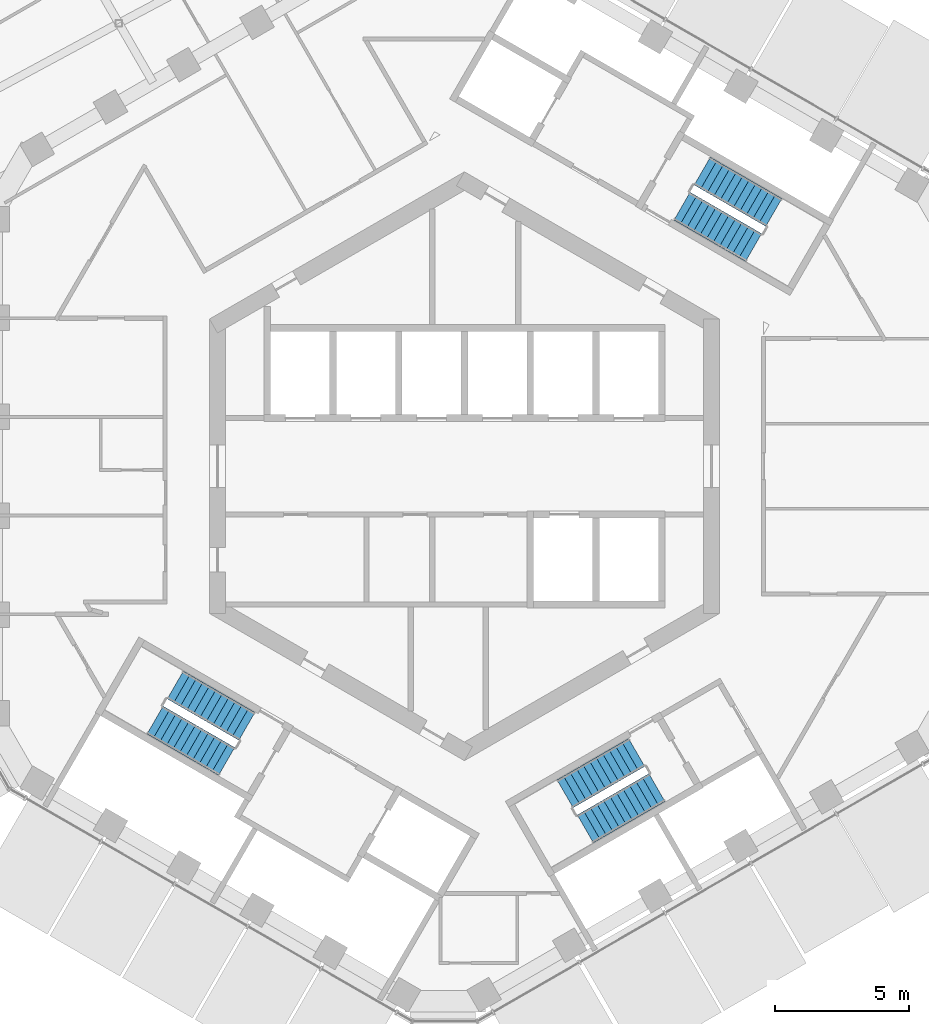
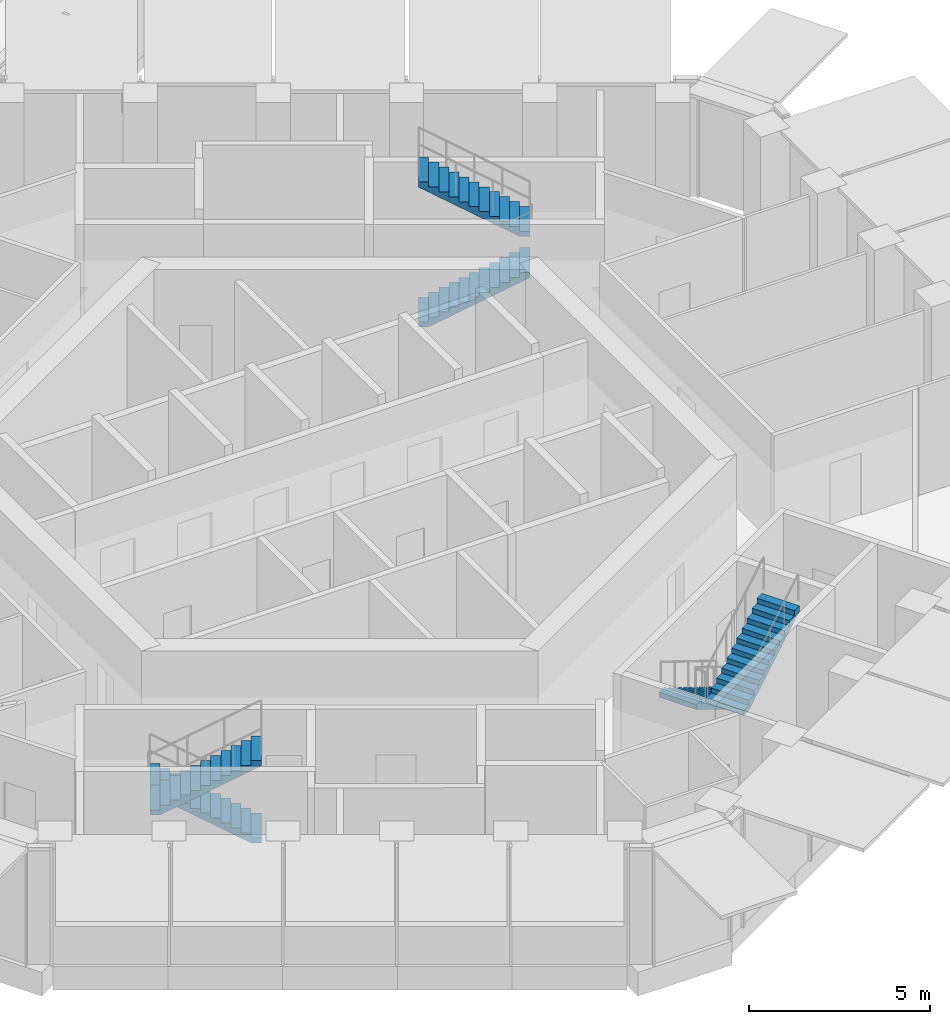
# One storey, part 25 of 27: 6 stair flights, 3 elements without a shape of their own.
"""IFC4 building model written with IfcOpenShell, lengths in metres."""

from ifc_helpers import new_model, si_unit, direction, frame, origin, place, context, subcontext, project, spatial, triangles, material, type_object, element, aggregate, save


model = new_model("IFC4")

# Units and contexts
model_context = context("Model", 3, precision=1e-05, world=origin(), true_north=direction((0.0, 1.0)))
body_context = subcontext(model_context, "Body", "Model", "MODEL_VIEW")
ifc_project = project(units=[si_unit("LENGTHUNIT", "METRE"), si_unit("AREAUNIT", "SQUARE_METRE"), si_unit("VOLUMEUNIT", "CUBIC_METRE"), si_unit("PLANEANGLEUNIT", "RADIAN"), si_unit("MASSUNIT", "GRAM", prefix="KILO")], contexts=[model_context])

# Site, building, storey
site_placement = place(None, origin())
site = spatial("IfcSite", under=ifc_project, at=site_placement, CompositionType="ELEMENT")
building_placement = place(site_placement, origin())
building = spatial("IfcBuilding", under=site, at=building_placement, Name="Ayvan Gate Tower", CompositionType="ELEMENT")
storey_placement = place(building_placement, frame((0.0, 0.0, 194.699951171875)))
storey = spatial("IfcBuildingStorey", under=building, at=storey_placement, Name="L52", CompositionType="ELEMENT", Elevation=194.699951171875)

# Stair, stair flights
ifc_material = material(Name="Concrete C40/50", Category="concrete")
stair_type = type_object("IfcStairType", Name="ST-EXIT", PredefinedType="HALF_TURN_STAIR", material=ifc_material)
stair_1_placement = place(storey_placement, origin())
stair_1 = element("IfcStair", 1, at=stair_1_placement, inside=storey, type_object=stair_type, Name="L52 Exit Stair S1", PredefinedType="HALF_TURN_STAIR")
stair_flight_type = type_object("IfcStairFlightType", Name="SFL-EXIT", PredefinedType="STRAIGHT", material=ifc_material)
stair_flight_1_placement = place(storey_placement, frame((8.106201171875, 9.690185546875, 0.0), z_axis=(0.0, 0.0, 1.0), x_axis=(0.866025403784, -0.5, 0.0)))
stair_flight_1 = element("IfcStairFlight", 2, at=stair_flight_1_placement, type_object=stair_flight_type, Name="STS1 flight 1", NumberOfRisers=12, NumberOfTreads=11, PredefinedType="STRAIGHT", RiserHeight=0.166666667, TreadLength=0.28, context=body_context, shape_type="Tessellation", body=[
    triangles([(0.293073, -0.599976, 0.0), (3.0805, -0.599976, 1.659182), (3.0805, -0.599976, 1.833333), (2.8, -0.599976, 1.833333), (2.8, -0.599976, 1.666667), (2.52, -0.599976, 1.666667), (2.52, -0.599976, 1.5), (2.24, -0.599976, 1.5), (2.24, -0.599976, 1.333333), (1.96, -0.599976, 1.333333), (1.96, -0.599976, 1.166667), (1.68, -0.599976, 1.166667), (1.68, -0.599976, 1.0), (1.4, -0.599976, 1.0), (1.4, -0.599976, 0.833333), (1.12, -0.599976, 0.833333), (1.12, -0.599976, 0.666667), (0.84, -0.599976, 0.666667), (0.84, -0.599976, 0.5), (0.56, -0.599976, 0.5), (0.56, -0.599976, 0.333333), (0.28, -0.599976, 0.333333), (0.28, -0.599976, 0.166667), (-0.0005, -0.599976, 0.166667), (-0.0005, -0.599976, 0.0), (0.293073, 0.0, 0.0), (3.0805, 0.0, 1.659182), (3.0805, 0.0, 1.833333), (2.8, 0.0, 1.833333), (2.8, 0.0, 1.666667), (2.52, 0.0, 1.666667), (2.52, 0.0, 1.5), (2.24, 0.0, 1.5), (2.24, 0.0, 1.333333), (1.96, 0.0, 1.333333), (1.96, 0.0, 1.166667), (1.68, 0.0, 1.166667), (1.68, 0.0, 1.0), (1.4, 0.0, 1.0), (1.4, 0.0, 0.833333), (1.12, 0.0, 0.833333), (1.12, 0.0, 0.666667), (0.84, 0.0, 0.666667), (0.84, 0.0, 0.5), (0.56, 0.0, 0.5), (0.56, 0.0, 0.333333), (0.28, 0.0, 0.333333), (0.28, 0.0, 0.166667), (-0.0005, 0.0, 0.166667), (-0.0005, 0.0, 0.0), (0.293073, 0.599976, 0.0), (3.0805, 0.599976, 1.659182), (3.0805, 0.599976, 1.833333), (2.8, 0.599976, 1.833333), (2.8, 0.599976, 1.666667), (2.52, 0.599976, 1.666667), (2.52, 0.599976, 1.5), (2.24, 0.599976, 1.5), (2.24, 0.599976, 1.333333), (1.96, 0.599976, 1.333333), (1.96, 0.599976, 1.166667), (1.68, 0.599976, 1.166667), (1.68, 0.599976, 1.0), (1.4, 0.599976, 1.0), (1.4, 0.599976, 0.833333), (1.12, 0.599976, 0.833333), (1.12, 0.599976, 0.666667), (0.84, 0.599976, 0.666667), (0.84, 0.599976, 0.5), (0.56, 0.599976, 0.5), (0.56, 0.599976, 0.333333), (0.28, 0.599976, 0.333333), (0.28, 0.599976, 0.166667), (-0.0005, 0.599976, 0.166667), (-0.0005, 0.599976, 0.0)], [[25, 1, 2], [75, 52, 51], [2, 3, 4], [52, 54, 53], [2, 4, 5], [52, 55, 54], [2, 5, 6], [52, 56, 55], [2, 6, 7], [52, 57, 56], [7, 8, 9], [57, 59, 58], [2, 7, 9], [52, 59, 57], [9, 10, 11], [59, 61, 60], [2, 9, 11], [52, 61, 59], [11, 12, 13], [61, 63, 62], [2, 11, 13], [52, 63, 61], [13, 14, 15], [63, 65, 64], [2, 13, 15], [52, 65, 63], [15, 16, 17], [65, 67, 66], [2, 15, 17], [52, 67, 65], [17, 18, 19], [67, 69, 68], [2, 17, 19], [52, 69, 67], [19, 20, 21], [69, 71, 70], [2, 19, 21], [52, 71, 69], [21, 22, 23], [71, 73, 72], [2, 21, 23], [52, 73, 71], [25, 2, 23], [75, 73, 52], [23, 24, 25], [73, 75, 74], [1, 26, 27], [1, 27, 2], [51, 27, 26], [51, 52, 27], [2, 27, 28], [2, 28, 3], [52, 28, 27], [52, 53, 28], [3, 28, 29], [3, 29, 4], [53, 29, 28], [53, 54, 29], [4, 29, 30], [4, 30, 5], [54, 30, 29], [54, 55, 30], [5, 30, 31], [5, 31, 6], [55, 31, 30], [55, 56, 31], [6, 31, 32], [6, 32, 7], [56, 32, 31], [56, 57, 32], [7, 32, 33], [7, 33, 8], [57, 33, 32], [57, 58, 33], [8, 33, 34], [8, 34, 9], [58, 34, 33], [58, 59, 34], [9, 34, 35], [9, 35, 10], [59, 35, 34], [59, 60, 35], [10, 35, 36], [10, 36, 11], [60, 36, 35], [60, 61, 36], [11, 36, 37], [11, 37, 12], [61, 37, 36], [61, 62, 37], [12, 37, 38], [12, 38, 13], [62, 38, 37], [62, 63, 38], [13, 38, 39], [13, 39, 14], [63, 39, 38], [63, 64, 39], [14, 39, 40], [14, 40, 15], [64, 40, 39], [64, 65, 40], [15, 40, 41], [15, 41, 16], [65, 41, 40], [65, 66, 41], [16, 41, 42], [16, 42, 17], [66, 42, 41], [66, 67, 42], [17, 42, 43], [17, 43, 18], [67, 43, 42], [67, 68, 43], [18, 43, 44], [18, 44, 19], [68, 44, 43], [68, 69, 44], [19, 44, 45], [19, 45, 20], [69, 45, 44], [69, 70, 45], [20, 45, 46], [20, 46, 21], [70, 46, 45], [70, 71, 46], [21, 46, 47], [21, 47, 22], [71, 47, 46], [71, 72, 47], [22, 47, 48], [22, 48, 23], [72, 48, 47], [72, 73, 48], [23, 48, 49], [23, 49, 24], [73, 49, 48], [73, 74, 49], [24, 49, 50], [24, 50, 25], [74, 50, 49], [74, 75, 50], [25, 50, 26], [25, 26, 1], [75, 26, 50], [75, 51, 26]], closed=True),
])
stair_flight_2_placement = place(storey_placement, frame((11.528564453125, 9.457763671875, 2.0), z_axis=(0.0, 0.0, 1.0), x_axis=(-0.866025403784, 0.5, 0.0)))
stair_flight_2 = element("IfcStairFlight", 3, at=stair_flight_2_placement, type_object=stair_flight_type, Name="STS1 flight 2", NumberOfRisers=12, NumberOfTreads=11, PredefinedType="STRAIGHT", RiserHeight=0.166666667, TreadLength=0.28, context=body_context, shape_type="Tessellation", body=[
    triangles([(0.293073, -0.599976, 0.0), (3.0805, -0.599976, 1.659182), (3.0805, -0.599976, 1.833333), (2.8, -0.599976, 1.833333), (2.8, -0.599976, 1.666667), (2.52, -0.599976, 1.666667), (2.52, -0.599976, 1.5), (2.24, -0.599976, 1.5), (2.24, -0.599976, 1.333333), (1.96, -0.599976, 1.333333), (1.96, -0.599976, 1.166667), (1.68, -0.599976, 1.166667), (1.68, -0.599976, 1.0), (1.4, -0.599976, 1.0), (1.4, -0.599976, 0.833333), (1.12, -0.599976, 0.833333), (1.12, -0.599976, 0.666667), (0.84, -0.599976, 0.666667), (0.84, -0.599976, 0.5), (0.56, -0.599976, 0.5), (0.56, -0.599976, 0.333333), (0.28, -0.599976, 0.333333), (0.28, -0.599976, 0.166667), (-0.0005, -0.599976, 0.166667), (-0.0005, -0.599976, 0.0), (0.293073, 0.0, 0.0), (3.0805, 0.0, 1.659182), (3.0805, 0.0, 1.833333), (2.8, 0.0, 1.833333), (2.8, 0.0, 1.666667), (2.52, 0.0, 1.666667), (2.52, 0.0, 1.5), (2.24, 0.0, 1.5), (2.24, 0.0, 1.333333), (1.96, 0.0, 1.333333), (1.96, 0.0, 1.166667), (1.68, 0.0, 1.166667), (1.68, 0.0, 1.0), (1.4, 0.0, 1.0), (1.4, 0.0, 0.833333), (1.12, 0.0, 0.833333), (1.12, 0.0, 0.666667), (0.84, 0.0, 0.666667), (0.84, 0.0, 0.5), (0.56, 0.0, 0.5), (0.56, 0.0, 0.333333), (0.28, 0.0, 0.333333), (0.28, 0.0, 0.166667), (-0.0005, 0.0, 0.166667), (-0.0005, 0.0, 0.0), (0.293073, 0.599976, 0.0), (3.0805, 0.599976, 1.659182), (3.0805, 0.599976, 1.833333), (2.8, 0.599976, 1.833333), (2.8, 0.599976, 1.666667), (2.52, 0.599976, 1.666667), (2.52, 0.599976, 1.5), (2.24, 0.599976, 1.5), (2.24, 0.599976, 1.333333), (1.96, 0.599976, 1.333333), (1.96, 0.599976, 1.166667), (1.68, 0.599976, 1.166667), (1.68, 0.599976, 1.0), (1.4, 0.599976, 1.0), (1.4, 0.599976, 0.833333), (1.12, 0.599976, 0.833333), (1.12, 0.599976, 0.666667), (0.84, 0.599976, 0.666667), (0.84, 0.599976, 0.5), (0.56, 0.599976, 0.5), (0.56, 0.599976, 0.333333), (0.28, 0.599976, 0.333333), (0.28, 0.599976, 0.166667), (-0.0005, 0.599976, 0.166667), (-0.0005, 0.599976, 0.0)], [[25, 1, 2], [75, 52, 51], [2, 3, 4], [52, 54, 53], [2, 4, 5], [52, 55, 54], [2, 5, 6], [52, 56, 55], [2, 6, 7], [52, 57, 56], [7, 8, 9], [57, 59, 58], [2, 7, 9], [52, 59, 57], [9, 10, 11], [59, 61, 60], [2, 9, 11], [52, 61, 59], [11, 12, 13], [61, 63, 62], [2, 11, 13], [52, 63, 61], [13, 14, 15], [63, 65, 64], [2, 13, 15], [52, 65, 63], [15, 16, 17], [65, 67, 66], [2, 15, 17], [52, 67, 65], [17, 18, 19], [67, 69, 68], [2, 17, 19], [52, 69, 67], [19, 20, 21], [69, 71, 70], [2, 19, 21], [52, 71, 69], [21, 22, 23], [71, 73, 72], [2, 21, 23], [52, 73, 71], [25, 2, 23], [75, 73, 52], [23, 24, 25], [73, 75, 74], [1, 26, 27], [1, 27, 2], [51, 27, 26], [51, 52, 27], [2, 27, 28], [2, 28, 3], [52, 28, 27], [52, 53, 28], [3, 28, 29], [3, 29, 4], [53, 29, 28], [53, 54, 29], [4, 29, 30], [4, 30, 5], [54, 30, 29], [54, 55, 30], [5, 30, 31], [5, 31, 6], [55, 31, 30], [55, 56, 31], [6, 31, 32], [6, 32, 7], [56, 32, 31], [56, 57, 32], [7, 32, 33], [7, 33, 8], [57, 33, 32], [57, 58, 33], [8, 33, 34], [8, 34, 9], [58, 34, 33], [58, 59, 34], [9, 34, 35], [9, 35, 10], [59, 35, 34], [59, 60, 35], [10, 35, 36], [10, 36, 11], [60, 36, 35], [60, 61, 36], [11, 36, 37], [11, 37, 12], [61, 37, 36], [61, 62, 37], [12, 37, 38], [12, 38, 13], [62, 38, 37], [62, 63, 38], [13, 38, 39], [13, 39, 14], [63, 39, 38], [63, 64, 39], [14, 39, 40], [14, 40, 15], [64, 40, 39], [64, 65, 40], [15, 40, 41], [15, 41, 16], [65, 41, 40], [65, 66, 41], [16, 41, 42], [16, 42, 17], [66, 42, 41], [66, 67, 42], [17, 42, 43], [17, 43, 18], [67, 43, 42], [67, 68, 43], [18, 43, 44], [18, 44, 19], [68, 44, 43], [68, 69, 44], [19, 44, 45], [19, 45, 20], [69, 45, 44], [69, 70, 45], [20, 45, 46], [20, 46, 21], [70, 46, 45], [70, 71, 46], [21, 46, 47], [21, 47, 22], [71, 47, 46], [71, 72, 47], [22, 47, 48], [22, 48, 23], [72, 48, 47], [72, 73, 48], [23, 48, 49], [23, 49, 24], [73, 49, 48], [73, 74, 49], [24, 49, 50], [24, 50, 25], [74, 50, 49], [74, 75, 50], [25, 50, 26], [25, 26, 1], [75, 26, 50], [75, 51, 26]], closed=True),
])
aggregate(stair_1, [stair_flight_1, stair_flight_2])

stair_2_placement = place(storey_placement, origin())
stair_2 = element("IfcStair", 4, at=stair_2_placement, inside=storey, type_object=stair_type, Name="L52 Exit Stair S2", PredefinedType="HALF_TURN_STAIR")
stair_flight_3_placement = place(storey_placement, frame((-8.106201171875, -9.690185546875, 0.0), z_axis=(0.0, 0.0, 1.0), x_axis=(-0.866025403784, 0.5, 0.0)))
stair_flight_3 = element("IfcStairFlight", 5, at=stair_flight_3_placement, type_object=stair_flight_type, Name="STS2 flight 1", NumberOfRisers=12, NumberOfTreads=11, PredefinedType="STRAIGHT", RiserHeight=0.166666667, TreadLength=0.28, context=body_context, shape_type="Tessellation", body=[
    triangles([(0.293073, -0.599976, 0.0), (3.0805, -0.599976, 1.659182), (3.0805, -0.599976, 1.833333), (2.8, -0.599976, 1.833333), (2.8, -0.599976, 1.666667), (2.52, -0.599976, 1.666667), (2.52, -0.599976, 1.5), (2.24, -0.599976, 1.5), (2.24, -0.599976, 1.333333), (1.96, -0.599976, 1.333333), (1.96, -0.599976, 1.166667), (1.68, -0.599976, 1.166667), (1.68, -0.599976, 1.0), (1.4, -0.599976, 1.0), (1.4, -0.599976, 0.833333), (1.12, -0.599976, 0.833333), (1.12, -0.599976, 0.666667), (0.84, -0.599976, 0.666667), (0.84, -0.599976, 0.5), (0.56, -0.599976, 0.5), (0.56, -0.599976, 0.333333), (0.28, -0.599976, 0.333333), (0.28, -0.599976, 0.166667), (-0.0005, -0.599976, 0.166667), (-0.0005, -0.599976, 0.0), (0.293073, 0.0, 0.0), (3.0805, 0.0, 1.659182), (3.0805, 0.0, 1.833333), (2.8, 0.0, 1.833333), (2.8, 0.0, 1.666667), (2.52, 0.0, 1.666667), (2.52, 0.0, 1.5), (2.24, 0.0, 1.5), (2.24, 0.0, 1.333333), (1.96, 0.0, 1.333333), (1.96, 0.0, 1.166667), (1.68, 0.0, 1.166667), (1.68, 0.0, 1.0), (1.4, 0.0, 1.0), (1.4, 0.0, 0.833333), (1.12, 0.0, 0.833333), (1.12, 0.0, 0.666667), (0.84, 0.0, 0.666667), (0.84, 0.0, 0.5), (0.56, 0.0, 0.5), (0.56, 0.0, 0.333333), (0.28, 0.0, 0.333333), (0.28, 0.0, 0.166667), (-0.0005, 0.0, 0.166667), (-0.0005, 0.0, 0.0), (0.293073, 0.599976, 0.0), (3.0805, 0.599976, 1.659182), (3.0805, 0.599976, 1.833333), (2.8, 0.599976, 1.833333), (2.8, 0.599976, 1.666667), (2.52, 0.599976, 1.666667), (2.52, 0.599976, 1.5), (2.24, 0.599976, 1.5), (2.24, 0.599976, 1.333333), (1.96, 0.599976, 1.333333), (1.96, 0.599976, 1.166667), (1.68, 0.599976, 1.166667), (1.68, 0.599976, 1.0), (1.4, 0.599976, 1.0), (1.4, 0.599976, 0.833333), (1.12, 0.599976, 0.833333), (1.12, 0.599976, 0.666667), (0.84, 0.599976, 0.666667), (0.84, 0.599976, 0.5), (0.56, 0.599976, 0.5), (0.56, 0.599976, 0.333333), (0.28, 0.599976, 0.333333), (0.28, 0.599976, 0.166667), (-0.0005, 0.599976, 0.166667), (-0.0005, 0.599976, 0.0)], [[25, 1, 2], [75, 52, 51], [2, 3, 4], [52, 54, 53], [2, 4, 5], [52, 55, 54], [2, 5, 6], [52, 56, 55], [2, 6, 7], [52, 57, 56], [7, 8, 9], [57, 59, 58], [2, 7, 9], [52, 59, 57], [9, 10, 11], [59, 61, 60], [2, 9, 11], [52, 61, 59], [11, 12, 13], [61, 63, 62], [2, 11, 13], [52, 63, 61], [13, 14, 15], [63, 65, 64], [2, 13, 15], [52, 65, 63], [15, 16, 17], [65, 67, 66], [2, 15, 17], [52, 67, 65], [17, 18, 19], [67, 69, 68], [2, 17, 19], [52, 69, 67], [19, 20, 21], [69, 71, 70], [2, 19, 21], [52, 71, 69], [21, 22, 23], [71, 73, 72], [2, 21, 23], [52, 73, 71], [25, 2, 23], [75, 73, 52], [23, 24, 25], [73, 75, 74], [1, 26, 27], [1, 27, 2], [51, 27, 26], [51, 52, 27], [2, 27, 28], [2, 28, 3], [52, 28, 27], [52, 53, 28], [3, 28, 29], [3, 29, 4], [53, 29, 28], [53, 54, 29], [4, 29, 30], [4, 30, 5], [54, 30, 29], [54, 55, 30], [5, 30, 31], [5, 31, 6], [55, 31, 30], [55, 56, 31], [6, 31, 32], [6, 32, 7], [56, 32, 31], [56, 57, 32], [7, 32, 33], [7, 33, 8], [57, 33, 32], [57, 58, 33], [8, 33, 34], [8, 34, 9], [58, 34, 33], [58, 59, 34], [9, 34, 35], [9, 35, 10], [59, 35, 34], [59, 60, 35], [10, 35, 36], [10, 36, 11], [60, 36, 35], [60, 61, 36], [11, 36, 37], [11, 37, 12], [61, 37, 36], [61, 62, 37], [12, 37, 38], [12, 38, 13], [62, 38, 37], [62, 63, 38], [13, 38, 39], [13, 39, 14], [63, 39, 38], [63, 64, 39], [14, 39, 40], [14, 40, 15], [64, 40, 39], [64, 65, 40], [15, 40, 41], [15, 41, 16], [65, 41, 40], [65, 66, 41], [16, 41, 42], [16, 42, 17], [66, 42, 41], [66, 67, 42], [17, 42, 43], [17, 43, 18], [67, 43, 42], [67, 68, 43], [18, 43, 44], [18, 44, 19], [68, 44, 43], [68, 69, 44], [19, 44, 45], [19, 45, 20], [69, 45, 44], [69, 70, 45], [20, 45, 46], [20, 46, 21], [70, 46, 45], [70, 71, 46], [21, 46, 47], [21, 47, 22], [71, 47, 46], [71, 72, 47], [22, 47, 48], [22, 48, 23], [72, 48, 47], [72, 73, 48], [23, 48, 49], [23, 49, 24], [73, 49, 48], [73, 74, 49], [24, 49, 50], [24, 50, 25], [74, 50, 49], [74, 75, 50], [25, 50, 26], [25, 26, 1], [75, 26, 50], [75, 51, 26]], closed=True),
])
stair_flight_4_placement = place(storey_placement, frame((-11.528564453125, -9.457763671875, 2.0), z_axis=(0.0, 0.0, 1.0), x_axis=(0.866025403784, -0.5, 0.0)))
stair_flight_4 = element("IfcStairFlight", 6, at=stair_flight_4_placement, type_object=stair_flight_type, Name="STS2 flight 2", NumberOfRisers=12, NumberOfTreads=11, PredefinedType="STRAIGHT", RiserHeight=0.166666667, TreadLength=0.28, context=body_context, shape_type="Tessellation", body=[
    triangles([(0.293073, -0.599976, 0.0), (3.0805, -0.599976, 1.659182), (3.0805, -0.599976, 1.833333), (2.8, -0.599976, 1.833333), (2.8, -0.599976, 1.666667), (2.52, -0.599976, 1.666667), (2.52, -0.599976, 1.5), (2.24, -0.599976, 1.5), (2.24, -0.599976, 1.333333), (1.96, -0.599976, 1.333333), (1.96, -0.599976, 1.166667), (1.68, -0.599976, 1.166667), (1.68, -0.599976, 1.0), (1.4, -0.599976, 1.0), (1.4, -0.599976, 0.833333), (1.12, -0.599976, 0.833333), (1.12, -0.599976, 0.666667), (0.84, -0.599976, 0.666667), (0.84, -0.599976, 0.5), (0.56, -0.599976, 0.5), (0.56, -0.599976, 0.333333), (0.28, -0.599976, 0.333333), (0.28, -0.599976, 0.166667), (-0.0005, -0.599976, 0.166667), (-0.0005, -0.599976, 0.0), (0.293073, 0.0, 0.0), (3.0805, 0.0, 1.659182), (3.0805, 0.0, 1.833333), (2.8, 0.0, 1.833333), (2.8, 0.0, 1.666667), (2.52, 0.0, 1.666667), (2.52, 0.0, 1.5), (2.24, 0.0, 1.5), (2.24, 0.0, 1.333333), (1.96, 0.0, 1.333333), (1.96, 0.0, 1.166667), (1.68, 0.0, 1.166667), (1.68, 0.0, 1.0), (1.4, 0.0, 1.0), (1.4, 0.0, 0.833333), (1.12, 0.0, 0.833333), (1.12, 0.0, 0.666667), (0.84, 0.0, 0.666667), (0.84, 0.0, 0.5), (0.56, 0.0, 0.5), (0.56, 0.0, 0.333333), (0.28, 0.0, 0.333333), (0.28, 0.0, 0.166667), (-0.0005, 0.0, 0.166667), (-0.0005, 0.0, 0.0), (0.293073, 0.599976, 0.0), (3.0805, 0.599976, 1.659182), (3.0805, 0.599976, 1.833333), (2.8, 0.599976, 1.833333), (2.8, 0.599976, 1.666667), (2.52, 0.599976, 1.666667), (2.52, 0.599976, 1.5), (2.24, 0.599976, 1.5), (2.24, 0.599976, 1.333333), (1.96, 0.599976, 1.333333), (1.96, 0.599976, 1.166667), (1.68, 0.599976, 1.166667), (1.68, 0.599976, 1.0), (1.4, 0.599976, 1.0), (1.4, 0.599976, 0.833333), (1.12, 0.599976, 0.833333), (1.12, 0.599976, 0.666667), (0.84, 0.599976, 0.666667), (0.84, 0.599976, 0.5), (0.56, 0.599976, 0.5), (0.56, 0.599976, 0.333333), (0.28, 0.599976, 0.333333), (0.28, 0.599976, 0.166667), (-0.0005, 0.599976, 0.166667), (-0.0005, 0.599976, 0.0)], [[25, 1, 2], [75, 52, 51], [2, 3, 4], [52, 54, 53], [2, 4, 5], [52, 55, 54], [2, 5, 6], [52, 56, 55], [2, 6, 7], [52, 57, 56], [7, 8, 9], [57, 59, 58], [2, 7, 9], [52, 59, 57], [9, 10, 11], [59, 61, 60], [2, 9, 11], [52, 61, 59], [11, 12, 13], [61, 63, 62], [2, 11, 13], [52, 63, 61], [13, 14, 15], [63, 65, 64], [2, 13, 15], [52, 65, 63], [15, 16, 17], [65, 67, 66], [2, 15, 17], [52, 67, 65], [17, 18, 19], [67, 69, 68], [2, 17, 19], [52, 69, 67], [19, 20, 21], [69, 71, 70], [2, 19, 21], [52, 71, 69], [21, 22, 23], [71, 73, 72], [2, 21, 23], [52, 73, 71], [25, 2, 23], [75, 73, 52], [23, 24, 25], [73, 75, 74], [1, 26, 27], [1, 27, 2], [51, 27, 26], [51, 52, 27], [2, 27, 28], [2, 28, 3], [52, 28, 27], [52, 53, 28], [3, 28, 29], [3, 29, 4], [53, 29, 28], [53, 54, 29], [4, 29, 30], [4, 30, 5], [54, 30, 29], [54, 55, 30], [5, 30, 31], [5, 31, 6], [55, 31, 30], [55, 56, 31], [6, 31, 32], [6, 32, 7], [56, 32, 31], [56, 57, 32], [7, 32, 33], [7, 33, 8], [57, 33, 32], [57, 58, 33], [8, 33, 34], [8, 34, 9], [58, 34, 33], [58, 59, 34], [9, 34, 35], [9, 35, 10], [59, 35, 34], [59, 60, 35], [10, 35, 36], [10, 36, 11], [60, 36, 35], [60, 61, 36], [11, 36, 37], [11, 37, 12], [61, 37, 36], [61, 62, 37], [12, 37, 38], [12, 38, 13], [62, 38, 37], [62, 63, 38], [13, 38, 39], [13, 39, 14], [63, 39, 38], [63, 64, 39], [14, 39, 40], [14, 40, 15], [64, 40, 39], [64, 65, 40], [15, 40, 41], [15, 41, 16], [65, 41, 40], [65, 66, 41], [16, 41, 42], [16, 42, 17], [66, 42, 41], [66, 67, 42], [17, 42, 43], [17, 43, 18], [67, 43, 42], [67, 68, 43], [18, 43, 44], [18, 44, 19], [68, 44, 43], [68, 69, 44], [19, 44, 45], [19, 45, 20], [69, 45, 44], [69, 70, 45], [20, 45, 46], [20, 46, 21], [70, 46, 45], [70, 71, 46], [21, 46, 47], [21, 47, 22], [71, 47, 46], [71, 72, 47], [22, 47, 48], [22, 48, 23], [72, 48, 47], [72, 73, 48], [23, 48, 49], [23, 49, 24], [73, 49, 48], [73, 74, 49], [24, 49, 50], [24, 50, 25], [74, 50, 49], [74, 75, 50], [25, 50, 26], [25, 26, 1], [75, 26, 50], [75, 51, 26]], closed=True),
])
aggregate(stair_2, [stair_flight_3, stair_flight_4])

stair_3_placement = place(storey_placement, origin())
stair_3 = element("IfcStair", 7, at=stair_3_placement, inside=storey, type_object=stair_type, Name="L52 Exit Stair S3", PredefinedType="HALF_TURN_STAIR")
stair_flight_5_placement = place(storey_placement, frame((6.417236328125, -10.665283203125, 0.0), z_axis=(0.0, 0.0, 1.0), x_axis=(-0.866025403784, -0.5, 0.0)))
stair_flight_5 = element("IfcStairFlight", 8, at=stair_flight_5_placement, type_object=stair_flight_type, Name="STS3 flight 1", NumberOfRisers=12, NumberOfTreads=11, PredefinedType="STRAIGHT", RiserHeight=0.166666667, TreadLength=0.28, context=body_context, shape_type="Tessellation", body=[
    triangles([(0.293073, -0.599976, 0.0), (3.0805, -0.599976, 1.659182), (3.0805, -0.599976, 1.833333), (2.8, -0.599976, 1.833333), (2.8, -0.599976, 1.666667), (2.52, -0.599976, 1.666667), (2.52, -0.599976, 1.5), (2.24, -0.599976, 1.5), (2.24, -0.599976, 1.333333), (1.96, -0.599976, 1.333333), (1.96, -0.599976, 1.166667), (1.68, -0.599976, 1.166667), (1.68, -0.599976, 1.0), (1.4, -0.599976, 1.0), (1.4, -0.599976, 0.833333), (1.12, -0.599976, 0.833333), (1.12, -0.599976, 0.666667), (0.84, -0.599976, 0.666667), (0.84, -0.599976, 0.5), (0.56, -0.599976, 0.5), (0.56, -0.599976, 0.333333), (0.28, -0.599976, 0.333333), (0.28, -0.599976, 0.166667), (-0.0005, -0.599976, 0.166667), (-0.0005, -0.599976, 0.0), (0.293073, 0.0, 0.0), (3.0805, 0.0, 1.659182), (3.0805, 0.0, 1.833333), (2.8, 0.0, 1.833333), (2.8, 0.0, 1.666667), (2.52, 0.0, 1.666667), (2.52, 0.0, 1.5), (2.24, 0.0, 1.5), (2.24, 0.0, 1.333333), (1.96, 0.0, 1.333333), (1.96, 0.0, 1.166667), (1.68, 0.0, 1.166667), (1.68, 0.0, 1.0), (1.4, 0.0, 1.0), (1.4, 0.0, 0.833333), (1.12, 0.0, 0.833333), (1.12, 0.0, 0.666667), (0.84, 0.0, 0.666667), (0.84, 0.0, 0.5), (0.56, 0.0, 0.5), (0.56, 0.0, 0.333333), (0.28, 0.0, 0.333333), (0.28, 0.0, 0.166667), (-0.0005, 0.0, 0.166667), (-0.0005, 0.0, 0.0), (0.293073, 0.599976, 0.0), (3.0805, 0.599976, 1.659182), (3.0805, 0.599976, 1.833333), (2.8, 0.599976, 1.833333), (2.8, 0.599976, 1.666667), (2.52, 0.599976, 1.666667), (2.52, 0.599976, 1.5), (2.24, 0.599976, 1.5), (2.24, 0.599976, 1.333333), (1.96, 0.599976, 1.333333), (1.96, 0.599976, 1.166667), (1.68, 0.599976, 1.166667), (1.68, 0.599976, 1.0), (1.4, 0.599976, 1.0), (1.4, 0.599976, 0.833333), (1.12, 0.599976, 0.833333), (1.12, 0.599976, 0.666667), (0.84, 0.599976, 0.666667), (0.84, 0.599976, 0.5), (0.56, 0.599976, 0.5), (0.56, 0.599976, 0.333333), (0.28, 0.599976, 0.333333), (0.28, 0.599976, 0.166667), (-0.0005, 0.599976, 0.166667), (-0.0005, 0.599976, 0.0)], [[25, 1, 2], [75, 52, 51], [2, 3, 4], [52, 54, 53], [2, 4, 5], [52, 55, 54], [2, 5, 6], [52, 56, 55], [2, 6, 7], [52, 57, 56], [7, 8, 9], [57, 59, 58], [2, 7, 9], [52, 59, 57], [9, 10, 11], [59, 61, 60], [2, 9, 11], [52, 61, 59], [11, 12, 13], [61, 63, 62], [2, 11, 13], [52, 63, 61], [13, 14, 15], [63, 65, 64], [2, 13, 15], [52, 65, 63], [15, 16, 17], [65, 67, 66], [2, 15, 17], [52, 67, 65], [17, 18, 19], [67, 69, 68], [2, 17, 19], [52, 69, 67], [19, 20, 21], [69, 71, 70], [2, 19, 21], [52, 71, 69], [21, 22, 23], [71, 73, 72], [2, 21, 23], [52, 73, 71], [25, 2, 23], [75, 73, 52], [23, 24, 25], [73, 75, 74], [1, 26, 27], [1, 27, 2], [51, 27, 26], [51, 52, 27], [2, 27, 28], [2, 28, 3], [52, 28, 27], [52, 53, 28], [3, 28, 29], [3, 29, 4], [53, 29, 28], [53, 54, 29], [4, 29, 30], [4, 30, 5], [54, 30, 29], [54, 55, 30], [5, 30, 31], [5, 31, 6], [55, 31, 30], [55, 56, 31], [6, 31, 32], [6, 32, 7], [56, 32, 31], [56, 57, 32], [7, 32, 33], [7, 33, 8], [57, 33, 32], [57, 58, 33], [8, 33, 34], [8, 34, 9], [58, 34, 33], [58, 59, 34], [9, 34, 35], [9, 35, 10], [59, 35, 34], [59, 60, 35], [10, 35, 36], [10, 36, 11], [60, 36, 35], [60, 61, 36], [11, 36, 37], [11, 37, 12], [61, 37, 36], [61, 62, 37], [12, 37, 38], [12, 38, 13], [62, 38, 37], [62, 63, 38], [13, 38, 39], [13, 39, 14], [63, 39, 38], [63, 64, 39], [14, 39, 40], [14, 40, 15], [64, 40, 39], [64, 65, 40], [15, 40, 41], [15, 41, 16], [65, 41, 40], [65, 66, 41], [16, 41, 42], [16, 42, 17], [66, 42, 41], [66, 67, 42], [17, 42, 43], [17, 43, 18], [67, 43, 42], [67, 68, 43], [18, 43, 44], [18, 44, 19], [68, 44, 43], [68, 69, 44], [19, 44, 45], [19, 45, 20], [69, 45, 44], [69, 70, 45], [20, 45, 46], [20, 46, 21], [70, 46, 45], [70, 71, 46], [21, 46, 47], [21, 47, 22], [71, 47, 46], [71, 72, 47], [22, 47, 48], [22, 48, 23], [72, 48, 47], [72, 73, 48], [23, 48, 49], [23, 49, 24], [73, 49, 48], [73, 74, 49], [24, 49, 50], [24, 50, 25], [74, 50, 49], [74, 75, 50], [25, 50, 26], [25, 26, 1], [75, 26, 50], [75, 51, 26]], closed=True),
])
stair_flight_6_placement = place(storey_placement, frame((4.5048828125, -13.512939453125, 2.0), z_axis=(0.0, 0.0, 1.0), x_axis=(0.866025403784, 0.5, 0.0)))
stair_flight_6 = element("IfcStairFlight", 9, at=stair_flight_6_placement, type_object=stair_flight_type, Name="STS3 flight 2", NumberOfRisers=12, NumberOfTreads=11, PredefinedType="STRAIGHT", RiserHeight=0.166666667, TreadLength=0.28, context=body_context, shape_type="Tessellation", body=[
    triangles([(0.293073, -0.599976, 0.0), (3.0805, -0.599976, 1.659182), (3.0805, -0.599976, 1.833333), (2.8, -0.599976, 1.833333), (2.8, -0.599976, 1.666667), (2.52, -0.599976, 1.666667), (2.52, -0.599976, 1.5), (2.24, -0.599976, 1.5), (2.24, -0.599976, 1.333333), (1.96, -0.599976, 1.333333), (1.96, -0.599976, 1.166667), (1.68, -0.599976, 1.166667), (1.68, -0.599976, 1.0), (1.4, -0.599976, 1.0), (1.4, -0.599976, 0.833333), (1.12, -0.599976, 0.833333), (1.12, -0.599976, 0.666667), (0.84, -0.599976, 0.666667), (0.84, -0.599976, 0.5), (0.56, -0.599976, 0.5), (0.56, -0.599976, 0.333333), (0.28, -0.599976, 0.333333), (0.28, -0.599976, 0.166667), (-0.0005, -0.599976, 0.166667), (-0.0005, -0.599976, 0.0), (0.293073, 0.0, 0.0), (3.0805, 0.0, 1.659182), (3.0805, 0.0, 1.833333), (2.8, 0.0, 1.833333), (2.8, 0.0, 1.666667), (2.52, 0.0, 1.666667), (2.52, 0.0, 1.5), (2.24, 0.0, 1.5), (2.24, 0.0, 1.333333), (1.96, 0.0, 1.333333), (1.96, 0.0, 1.166667), (1.68, 0.0, 1.166667), (1.68, 0.0, 1.0), (1.4, 0.0, 1.0), (1.4, 0.0, 0.833333), (1.12, 0.0, 0.833333), (1.12, 0.0, 0.666667), (0.84, 0.0, 0.666667), (0.84, 0.0, 0.5), (0.56, 0.0, 0.5), (0.56, 0.0, 0.333333), (0.28, 0.0, 0.333333), (0.28, 0.0, 0.166667), (-0.0005, 0.0, 0.166667), (-0.0005, 0.0, 0.0), (0.293073, 0.599976, 0.0), (3.0805, 0.599976, 1.659182), (3.0805, 0.599976, 1.833333), (2.8, 0.599976, 1.833333), (2.8, 0.599976, 1.666667), (2.52, 0.599976, 1.666667), (2.52, 0.599976, 1.5), (2.24, 0.599976, 1.5), (2.24, 0.599976, 1.333333), (1.96, 0.599976, 1.333333), (1.96, 0.599976, 1.166667), (1.68, 0.599976, 1.166667), (1.68, 0.599976, 1.0), (1.4, 0.599976, 1.0), (1.4, 0.599976, 0.833333), (1.12, 0.599976, 0.833333), (1.12, 0.599976, 0.666667), (0.84, 0.599976, 0.666667), (0.84, 0.599976, 0.5), (0.56, 0.599976, 0.5), (0.56, 0.599976, 0.333333), (0.28, 0.599976, 0.333333), (0.28, 0.599976, 0.166667), (-0.0005, 0.599976, 0.166667), (-0.0005, 0.599976, 0.0)], [[25, 1, 2], [75, 52, 51], [2, 3, 4], [52, 54, 53], [2, 4, 5], [52, 55, 54], [2, 5, 6], [52, 56, 55], [2, 6, 7], [52, 57, 56], [7, 8, 9], [57, 59, 58], [2, 7, 9], [52, 59, 57], [9, 10, 11], [59, 61, 60], [2, 9, 11], [52, 61, 59], [11, 12, 13], [61, 63, 62], [2, 11, 13], [52, 63, 61], [13, 14, 15], [63, 65, 64], [2, 13, 15], [52, 65, 63], [15, 16, 17], [65, 67, 66], [2, 15, 17], [52, 67, 65], [17, 18, 19], [67, 69, 68], [2, 17, 19], [52, 69, 67], [19, 20, 21], [69, 71, 70], [2, 19, 21], [52, 71, 69], [21, 22, 23], [71, 73, 72], [2, 21, 23], [52, 73, 71], [25, 2, 23], [75, 73, 52], [23, 24, 25], [73, 75, 74], [1, 26, 27], [1, 27, 2], [51, 27, 26], [51, 52, 27], [2, 27, 28], [2, 28, 3], [52, 28, 27], [52, 53, 28], [3, 28, 29], [3, 29, 4], [53, 29, 28], [53, 54, 29], [4, 29, 30], [4, 30, 5], [54, 30, 29], [54, 55, 30], [5, 30, 31], [5, 31, 6], [55, 31, 30], [55, 56, 31], [6, 31, 32], [6, 32, 7], [56, 32, 31], [56, 57, 32], [7, 32, 33], [7, 33, 8], [57, 33, 32], [57, 58, 33], [8, 33, 34], [8, 34, 9], [58, 34, 33], [58, 59, 34], [9, 34, 35], [9, 35, 10], [59, 35, 34], [59, 60, 35], [10, 35, 36], [10, 36, 11], [60, 36, 35], [60, 61, 36], [11, 36, 37], [11, 37, 12], [61, 37, 36], [61, 62, 37], [12, 37, 38], [12, 38, 13], [62, 38, 37], [62, 63, 38], [13, 38, 39], [13, 39, 14], [63, 39, 38], [63, 64, 39], [14, 39, 40], [14, 40, 15], [64, 40, 39], [64, 65, 40], [15, 40, 41], [15, 41, 16], [65, 41, 40], [65, 66, 41], [16, 41, 42], [16, 42, 17], [66, 42, 41], [66, 67, 42], [17, 42, 43], [17, 43, 18], [67, 43, 42], [67, 68, 43], [18, 43, 44], [18, 44, 19], [68, 44, 43], [68, 69, 44], [19, 44, 45], [19, 45, 20], [69, 45, 44], [69, 70, 45], [20, 45, 46], [20, 46, 21], [70, 46, 45], [70, 71, 46], [21, 46, 47], [21, 47, 22], [71, 47, 46], [71, 72, 47], [22, 47, 48], [22, 48, 23], [72, 48, 47], [72, 73, 48], [23, 48, 49], [23, 49, 24], [73, 49, 48], [73, 74, 49], [24, 49, 50], [24, 50, 25], [74, 50, 49], [74, 75, 50], [25, 50, 26], [25, 26, 1], [75, 26, 50], [75, 51, 26]], closed=True),
])
aggregate(stair_3, [stair_flight_5, stair_flight_6])

save(model, "model.ifc")
